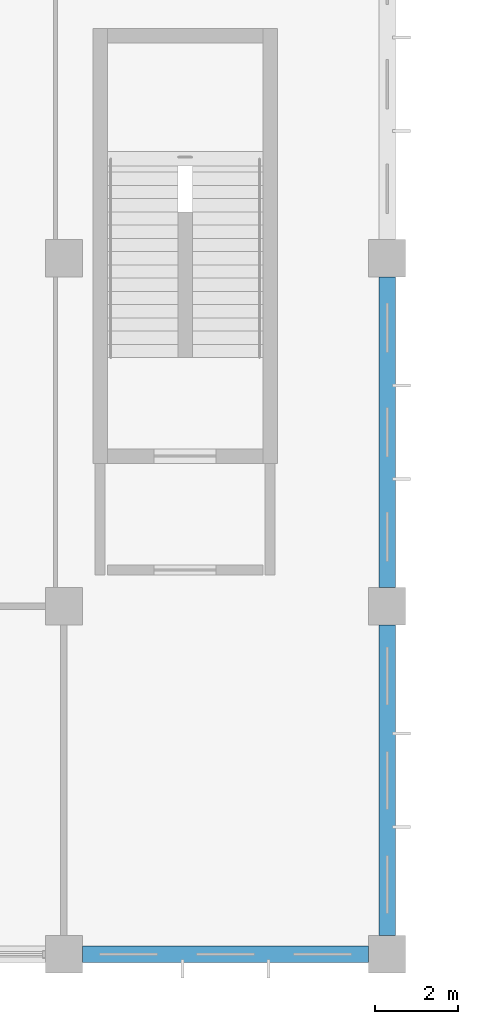
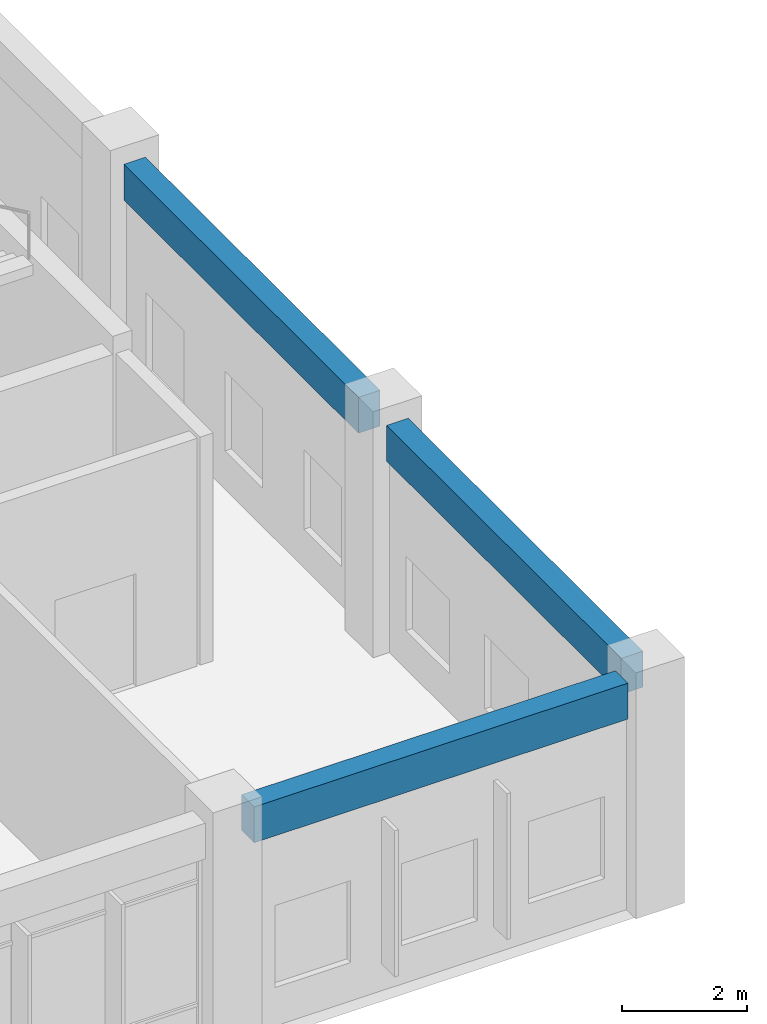
# One storey, part 37 of 79: 3 beams.
"""IFC4 building model written with IfcOpenShell, lengths in metres."""

from ifc_helpers import new_model, si_unit, direction, frame, origin, origin_2d, place, context, subcontext, project, spatial, rectangle, extrude, material, material_profile, profile_set, type_object, element, save


model = new_model("IFC4")

# Units and contexts
model_context = context("Model", 3, precision=1e-05, world=origin(), true_north=direction((0.0, 1.0)))
body_context = subcontext(model_context, "Body", "Model", "MODEL_VIEW")
ifc_project = project(units=[si_unit("LENGTHUNIT", "METRE"), si_unit("AREAUNIT", "SQUARE_METRE"), si_unit("VOLUMEUNIT", "CUBIC_METRE"), si_unit("PLANEANGLEUNIT", "RADIAN"), si_unit("MASSUNIT", "GRAM", prefix="KILO"), si_unit("THERMODYNAMICTEMPERATUREUNIT", "KELVIN"), si_unit("POWERUNIT", "WATT")], contexts=[model_context])

# Site, building, storey
site_placement = place(None, origin())
site = spatial("IfcSite", under=ifc_project, at=site_placement, CompositionType="ELEMENT")
building_placement = place(site_placement, origin())
building = spatial("IfcBuilding", under=site, at=building_placement, Name="Srebrne Nadtorze General Hospital", CompositionType="ELEMENT")
storey_placement = place(building_placement, frame((0.0, 0.0, 4.800048828125)))
storey = spatial("IfcBuildingStorey", under=building, at=storey_placement, Name="L01", CompositionType="ELEMENT", Elevation=4.800048828125)

# Beams
ifc_material = material(Name="Concrete C40/50", Category="concrete")
ifc_material_profile = material_profile(ifc_material, rectangle(XDim=0.39990234375, YDim=0.699951171875, at=origin_2d()), Name="RC-BM-400x700")
ifc_profile_set = profile_set([ifc_material_profile], Name="Concrete C40/50")
beam_type = type_object("IfcBeamType", Name="Edge beam RC 400x700", PredefinedType="BEAM", material=ifc_profile_set)
beam_placement = place(storey_placement, frame((140.85009765625, 0.0, 4.099853515625), z_axis=(1.0, 0.0, 0.0), x_axis=(0.0, 1.0, 0.0)))
element("IfcBeam", 1, at=beam_placement, inside=storey, type_object=beam_type, Name="Beam BM-L01-X-0377", PredefinedType="BEAM", context=body_context, shape_type="SweptSolid", body=[
    extrude(rectangle(XDim=0.39990234375, YDim=0.699951171875, at=origin_2d()), origin(), (0.0, 0.0, 1.0), 6.89990234375),
])
for number, where, z_axis, x_axis, name in (
    (2, (148.199951171875, 0.449951171875, 4.099853515625), (0.0, 1.0, 0.0), (-1.0, 0.0, 0.0), "Beam BM-L01-Y-0540"),
    (3, (148.199951171875, 8.85009765625, 4.099853515625), (0.0, 1.0, 0.0), (-1.0, 0.0, 0.0), "Beam BM-L01-Y-0541"),
):
    element("IfcBeam", number, at=place(storey_placement, frame(where, z_axis=z_axis, x_axis=x_axis)), inside=storey, type_object=beam_type, Name=name, PredefinedType="BEAM", context=body_context, shape_type="SweptSolid", body=[
        extrude(rectangle(XDim=0.39990234375, YDim=0.699951171875, at=origin_2d()), origin(), (0.0, 0.0, 1.0), 7.5),
    ])

save(model, "model.ifc")
